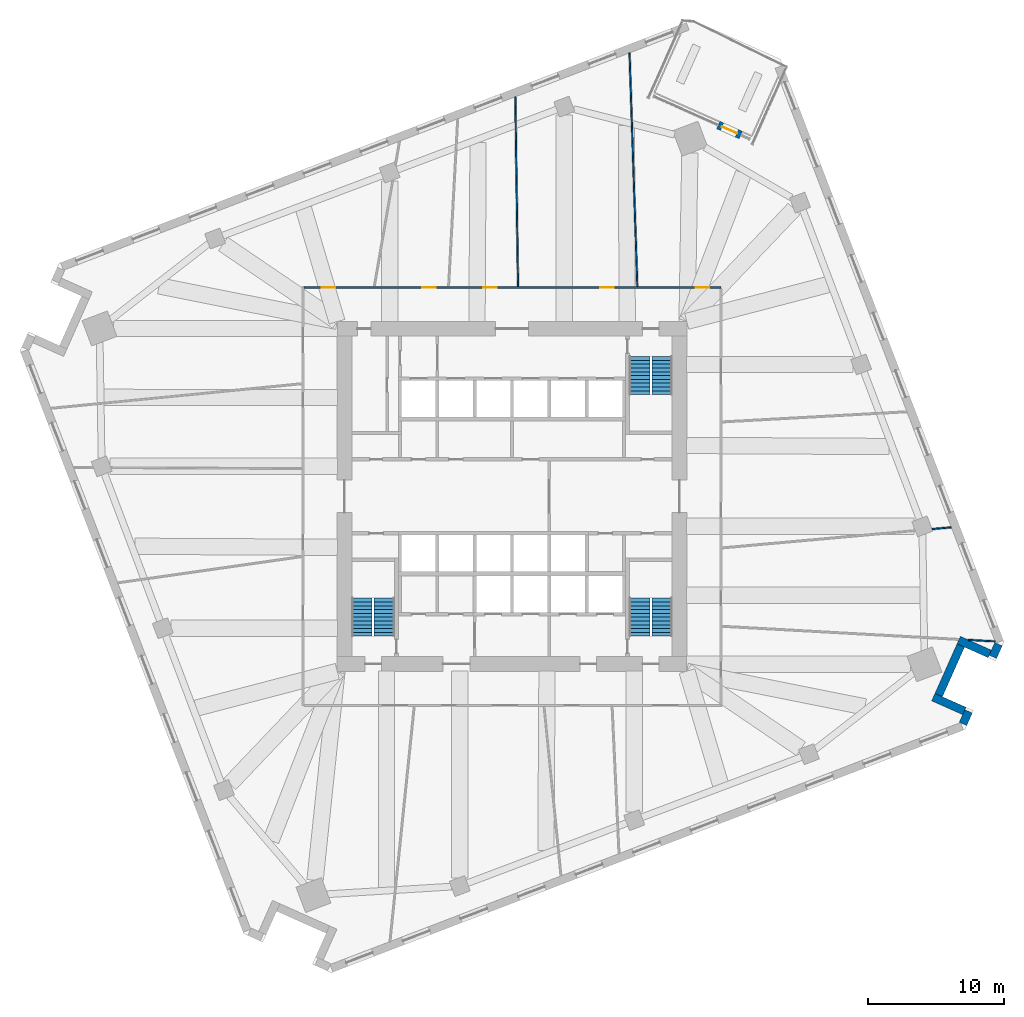
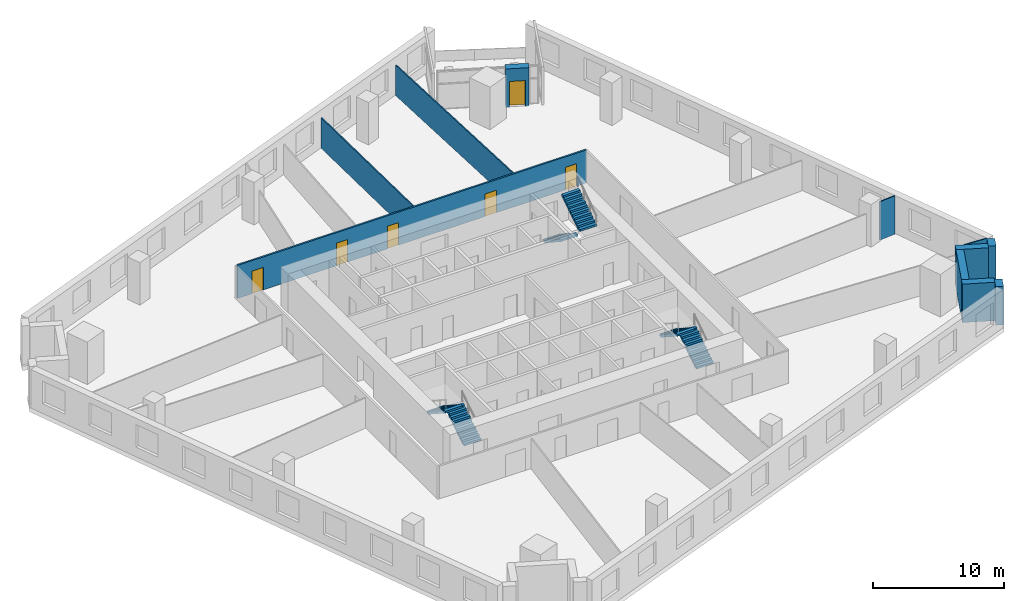
# One storey, part 12 of 14: 11 walls, 6 doors, 6 stair flights, 6 openings, 3 elements without a shape of their own.
"""IFC4 building model written with IfcOpenShell, lengths in metres."""

from ifc_helpers import new_model, si_unit, direction, frame, frame_2d, origin, place, context, subcontext, project, spatial, polyline, rectangle, outline, extrude, material, layer, layer_set, type_object, element, fill, aggregate, save


model = new_model("IFC4")

# Units and contexts
model_context = context("Model", 3, precision=1e-05, world=origin(), true_north=direction((0.0, 1.0)))
body_context = subcontext(model_context, "Body", "Model", "MODEL_VIEW")
ifc_project = project(units=[si_unit("LENGTHUNIT", "METRE"), si_unit("AREAUNIT", "SQUARE_METRE"), si_unit("VOLUMEUNIT", "CUBIC_METRE"), si_unit("PLANEANGLEUNIT", "RADIAN"), si_unit("MASSUNIT", "GRAM", prefix="KILO")], contexts=[model_context])

# Site, building, storey
site_placement = place(None, origin())
site = spatial("IfcSite", under=ifc_project, at=site_placement, CompositionType="ELEMENT")
building_placement = place(site_placement, origin())
building = spatial("IfcBuilding", under=site, at=building_placement, Name="Dilmun Exchange Tower", CompositionType="ELEMENT")
storey_placement = place(building_placement, frame((0.0, 0.0, 110.10009765625)))
storey = spatial("IfcBuildingStorey", under=building, at=storey_placement, Name="L25", CompositionType="ELEMENT", Elevation=110.10009765625)

# Wall, openings, doors
ifc_material_1 = material(Name="Corridor wall 150")
ifc_layer_1 = layer(ifc_material_1, 0.14990234375)
ifc_layer_set_1 = layer_set([ifc_layer_1], Name="Corridor wall 150")
wall_type_1 = type_object("IfcWallType", Name="Corridor wall 150", PredefinedType="PARTITIONING", material=ifc_layer_set_1)
wall_1_placement = place(storey_placement, frame((-15.324951171875, 15.39990234375, 0.0), z_axis=(0.0, 0.0, 1.0), x_axis=(1.0, 0.0, 0.0)))
wall_1 = element("IfcWall", 1, at=wall_1_placement, inside=storey, type_object=wall_type_1, Name="Corridor wall", PredefinedType="PARTITIONING", context=body_context, shape_type="SweptSolid", body=[
    extrude(rectangle(XDim=30.724853515625, YDim=0.14990234375, at=frame_2d((15.3623046875, 0.0))), origin(), (0.0, 0.0, 1.0), 3.079833984375),
])
opening_1_placement = place(wall_1_placement, frame((1.300048828125, 0.0, 0.0)))
opening_1 = element("IfcOpeningElement", 2, at=opening_1_placement, cuts=wall_1, Name="Opening TF23-D04", PredefinedType="OPENING", context=body_context, shape_type="SweptSolid", body=[
    extrude(rectangle(XDim=1.0, YDim=2.10009765625, at=frame_2d((0.5, 1.050048828125))), frame((0.0, 0.0849609375, 0.0), z_axis=(0.0, -1.0, 0.0), x_axis=(1.0, 0.0, 0.0)), (0.0, 0.0, 1.0), 0.169921875),
])
opening_2_placement = place(wall_1_placement, frame((8.717041015625, 0.0, 0.0)))
opening_2 = element("IfcOpeningElement", 3, at=opening_2_placement, cuts=wall_1, Name="Opening TF23-D07", PredefinedType="OPENING", context=body_context, shape_type="SweptSolid", body=[
    extrude(rectangle(XDim=1.0, YDim=2.10009765625, at=frame_2d((0.5, 1.050048828125))), frame((0.0, 0.0849609375, 0.0), z_axis=(0.0, -1.0, 0.0), x_axis=(1.0, 0.0, 0.0)), (0.0, 0.0, 1.0), 0.169921875),
])
opening_3_placement = place(wall_1_placement, frame((13.198486328125, 0.0, 0.0)))
opening_3 = element("IfcOpeningElement", 4, at=opening_3_placement, cuts=wall_1, Name="Opening TF23-D10", PredefinedType="OPENING", context=body_context, shape_type="SweptSolid", body=[
    extrude(rectangle(XDim=1.0, YDim=2.10009765625, at=frame_2d((0.5, 1.050048828125))), frame((0.0, 0.0849609375, 0.0), z_axis=(0.0, -1.0, 0.0), x_axis=(1.0, 0.0, 0.0)), (0.0, 0.0, 1.0), 0.169921875),
])
opening_4_placement = place(wall_1_placement, frame((21.818115234375, 0.0, 0.0)))
opening_4 = element("IfcOpeningElement", 5, at=opening_4_placement, cuts=wall_1, Name="Opening TF23-D11", PredefinedType="OPENING", context=body_context, shape_type="SweptSolid", body=[
    extrude(rectangle(XDim=1.0, YDim=2.10009765625, at=frame_2d((0.5, 1.050048828125))), frame((0.0, 0.0849609375, 0.0), z_axis=(0.0, -1.0, 0.0), x_axis=(1.0, 0.0, 0.0)), (0.0, 0.0, 1.0), 0.169921875),
])
opening_5_placement = place(wall_1_placement, frame((28.86083984375, 0.0, 0.0)))
opening_5 = element("IfcOpeningElement", 6, at=opening_5_placement, cuts=wall_1, Name="Opening TF23-D14", PredefinedType="OPENING", context=body_context, shape_type="SweptSolid", body=[
    extrude(rectangle(XDim=1.0, YDim=2.10009765625, at=frame_2d((0.5, 1.050048828125))), frame((0.0, 0.0849609375, 0.0), z_axis=(0.0, -1.0, 0.0), x_axis=(1.0, 0.0, 0.0)), (0.0, 0.0, 1.0), 0.169921875),
])
ifc_material_2 = material(Name="Fire door 1000 x 2100")
door_type_1 = type_object("IfcDoorType", Name="Fire door 1000 x 2100", OperationType="NOTDEFINED", PredefinedType="DOOR", material=ifc_material_2)
door_1_placement = place(opening_1_placement, origin())
door_1 = element("IfcDoor", 7, at=door_1_placement, inside=storey, type_object=door_type_1, Name="Door TF23-D04", OperationType="SINGLE_SWING_RIGHT", OverallHeight=2.10009765625, OverallWidth=1.0, PredefinedType="DOOR", context=body_context, shape_type="SweptSolid", body=[
    extrude(rectangle(XDim=1.0, YDim=2.10009765625, at=frame_2d((0.5, 1.050048828125))), frame((0.0, 0.02490234375, 0.0), z_axis=(0.0, -1.0, 0.0), x_axis=(1.0, 0.0, 0.0)), (0.0, 0.0, 1.0), 0.050048828125),
])
fill(opening_1, door_1)
door_2_placement = place(opening_2_placement, origin())
door_2 = element("IfcDoor", 8, at=door_2_placement, inside=storey, type_object=door_type_1, Name="Door TF23-D07", OperationType="SINGLE_SWING_LEFT", OverallHeight=2.10009765625, OverallWidth=1.0, PredefinedType="DOOR", context=body_context, shape_type="SweptSolid", body=[
    extrude(rectangle(XDim=1.0, YDim=2.10009765625, at=frame_2d((0.5, 1.050048828125))), frame((0.0, 0.02490234375, 0.0), z_axis=(0.0, -1.0, 0.0), x_axis=(1.0, 0.0, 0.0)), (0.0, 0.0, 1.0), 0.050048828125),
])
fill(opening_2, door_2)
door_3_placement = place(opening_3_placement, origin())
door_3 = element("IfcDoor", 9, at=door_3_placement, inside=storey, type_object=door_type_1, Name="Door TF23-D10", OperationType="SINGLE_SWING_LEFT", OverallHeight=2.10009765625, OverallWidth=1.0, PredefinedType="DOOR", context=body_context, shape_type="SweptSolid", body=[
    extrude(rectangle(XDim=1.0, YDim=2.10009765625, at=frame_2d((0.5, 1.050048828125))), frame((0.0, 0.02490234375, 0.0), z_axis=(0.0, -1.0, 0.0), x_axis=(1.0, 0.0, 0.0)), (0.0, 0.0, 1.0), 0.050048828125),
])
fill(opening_3, door_3)
door_4_placement = place(opening_4_placement, origin())
door_4 = element("IfcDoor", 10, at=door_4_placement, inside=storey, type_object=door_type_1, Name="Door TF23-D11", OperationType="SINGLE_SWING_LEFT", OverallHeight=2.10009765625, OverallWidth=1.0, PredefinedType="DOOR", context=body_context, shape_type="SweptSolid", body=[
    extrude(rectangle(XDim=1.0, YDim=2.10009765625, at=frame_2d((0.5, 1.050048828125))), frame((0.0, 0.02490234375, 0.0), z_axis=(0.0, -1.0, 0.0), x_axis=(1.0, 0.0, 0.0)), (0.0, 0.0, 1.0), 0.050048828125),
])
fill(opening_4, door_4)
door_5_placement = place(opening_5_placement, origin())
door_5 = element("IfcDoor", 11, at=door_5_placement, inside=storey, type_object=door_type_1, Name="Door TF23-D14", OperationType="SINGLE_SWING_LEFT", OverallHeight=2.10009765625, OverallWidth=1.0, PredefinedType="DOOR", context=body_context, shape_type="SweptSolid", body=[
    extrude(rectangle(XDim=1.0, YDim=2.10009765625, at=frame_2d((0.5, 1.050048828125))), frame((0.0, 0.02490234375, 0.0), z_axis=(0.0, -1.0, 0.0), x_axis=(1.0, 0.0, 0.0)), (0.0, 0.0, 1.0), 0.050048828125),
])
fill(opening_5, door_5)

# Walls
ifc_material_3 = material(Name="Partition 100")
ifc_layer_2 = layer(ifc_material_3, 0.10009765625)
ifc_layer_set_2 = layer_set([ifc_layer_2], Name="Partition 100")
wall_type_2 = type_object("IfcWallType", Name="Partition 100", PredefinedType="PARTITIONING", material=ifc_layer_set_2)
wall_2_placement = place(storey_placement, frame((0.244140625, 29.44091796875, 0.0), z_axis=(0.0, 0.0, 1.0), x_axis=(0.014228831068, -0.999898765059, 0.0)))
element("IfcWall", 12, at=wall_2_placement, inside=storey, type_object=wall_type_2, Name="Partition", PredefinedType="PARTITIONING", context=body_context, shape_type="SweptSolid", body=[
    extrude(rectangle(XDim=13.966796875, YDim=0.10009765625, at=frame_2d((6.9833984375, 0.0))), origin(), (0.0, 0.0, 1.0), 2.829833984375),
])
wall_3_placement = place(storey_placement, frame((8.658203125, 32.6708984375, 0.0), z_axis=(0.0, 0.0, 1.0), x_axis=(0.033491076988, -0.99943901653, 0.0)))
element("IfcWall", 13, at=wall_3_placement, inside=storey, type_object=wall_type_2, Name="Partition", PredefinedType="PARTITIONING", context=body_context, shape_type="SweptSolid", body=[
    extrude(rectangle(XDim=17.203857421875, YDim=0.10009765625, at=frame_2d((8.60205078125, 0.0))), origin(), (0.0, 0.0, 1.0), 2.829833984375),
])
wall_4_placement = place(storey_placement, frame((30.947265625, -2.408203125, 0.0), z_axis=(0.0, 0.0, 1.0), x_axis=(0.995999359609, 0.089360369615, 0.0)))
element("IfcWall", 14, at=wall_4_placement, inside=storey, type_object=wall_type_2, Name="Partition", PredefinedType="PARTITIONING", context=body_context, shape_type="SweptSolid", body=[
    extrude(rectangle(XDim=1.42333984375, YDim=0.10009765625, at=frame_2d((0.711669921875, 0.0))), origin(), (0.0, 0.0, 1.0), 3.579833984375),
])
wall_5_placement = place(storey_placement, frame((33.628173828125, -10.575927734375, 0.0), z_axis=(0.0, 0.0, 1.0), x_axis=(0.998471795395, -0.055263675243, 0.0)))
element("IfcWall", 15, at=wall_5_placement, inside=storey, type_object=wall_type_2, Name="Partition", PredefinedType="PARTITIONING", context=body_context, shape_type="SweptSolid", body=[
    extrude(rectangle(XDim=1.9658203125, YDim=0.10009765625, at=frame_2d((0.98291015625, 0.0))), origin(), (0.0, 0.0, 1.0), 3.579833984375),
])
ifc_material_4 = material(Name="Precast concrete C50/60", Category="concrete")
ifc_layer_3 = layer(ifc_material_4, 0.60009765625)
ifc_layer_set_3 = layer_set([ifc_layer_3], Name="Precast concrete C50/60")
wall_type_3 = type_object("IfcWallType", Name="Precast stone-clad wall 600", PredefinedType="STANDARD", material=ifc_layer_set_3)
wall_6_placement = place(storey_placement, frame((33.231689453125, -16.7626953125, 0.0), z_axis=(0.0, 0.0, 1.0), x_axis=(0.406877680738, 0.913482650583, 0.0)))
element("IfcWall", 16, at=wall_6_placement, inside=storey, type_object=wall_type_3, Name="Facade wall L25-16", PredefinedType="STANDARD", context=body_context, shape_type="SweptSolid", body=[
    extrude(rectangle(XDim=1.010986328125, YDim=0.60009765625, at=frame_2d((0.50537109375, 0.0))), origin(), (0.0, 0.0, 1.0), 3.579833984375),
])
wall_7_placement = place(storey_placement, frame((33.328125, -15.808349609375, 0.0), z_axis=(0.0, 0.0, 1.0), x_axis=(-0.913533450149, 0.406763611276, 0.0)))
element("IfcWall", 17, at=wall_7_placement, inside=storey, type_object=wall_type_3, Name="Facade wall L25-17", PredefinedType="STANDARD", context=body_context, shape_type="SweptSolid", body=[
    extrude(rectangle(XDim=2.499755859375, YDim=0.60009765625, at=frame_2d((1.25, 0.0))), origin(), (0.0, 0.0, 1.0), 3.579833984375),
])
wall_8_placement = place(storey_placement, frame((31.4404296875, -14.639404296875, 0.0), z_axis=(0.0, 0.0, 1.0), x_axis=(0.406727323635, 0.913549606868, 0.0)))
element("IfcWall", 18, at=wall_8_placement, inside=storey, type_object=wall_type_3, Name="Facade wall L25-18", PredefinedType="STANDARD", context=body_context, shape_type="SweptSolid", body=[
    extrude(rectangle(XDim=4.0, YDim=0.60009765625, at=frame_2d((2.0, 0.0))), origin(), (0.0, 0.0, 1.0), 3.579833984375),
])
wall_9_placement = place(storey_placement, frame((32.915283203125, -10.589111328125, 0.0), z_axis=(0.0, 0.0, 1.0), x_axis=(0.913549606868, -0.406727323635, 0.0)))
element("IfcWall", 19, at=wall_9_placement, inside=storey, type_object=wall_type_3, Name="Facade wall L25-19", PredefinedType="STANDARD", context=body_context, shape_type="SweptSolid", body=[
    extrude(rectangle(XDim=2.5, YDim=0.60009765625, at=frame_2d((1.25, 0.0))), origin(), (0.0, 0.0, 1.0), 3.579833984375),
])
wall_10_placement = place(storey_placement, frame((35.4326171875, -11.8193359375, 0.0), z_axis=(0.0, 0.0, 1.0), x_axis=(0.406787949875, 0.913522612657, 0.0)))
element("IfcWall", 20, at=wall_10_placement, inside=storey, type_object=wall_type_3, Name="Facade wall L25-20", PredefinedType="STANDARD", context=body_context, shape_type="SweptSolid", body=[
    extrude(rectangle(XDim=1.01123046875, YDim=0.60009765625, at=frame_2d((0.505615234375, 0.0))), origin(), (0.0, 0.0, 1.0), 3.579833984375),
])

# Wall, opening, door
wall_11_placement = place(storey_placement, frame((16.850341796875, 26.625, 0.0), z_axis=(0.0, 0.0, 1.0), x_axis=(-0.913598891005, 0.406616608556, 0.0)))
wall_11 = element("IfcWall", 21, at=wall_11_placement, inside=storey, type_object=wall_type_3, Name="Facade wall L25-01-D", PredefinedType="STANDARD", context=body_context, shape_type="SweptSolid", body=[
    extrude(rectangle(XDim=1.800048828125, YDim=0.60009765625, at=frame_2d((0.89990234375, 0.0))), origin(), (0.0, 0.0, 1.0), 3.579833984375),
])
opening_6_placement = place(wall_11_placement, frame((0.300048828125, 0.0, 0.0)))
opening_6 = element("IfcOpeningElement", 22, at=opening_6_placement, cuts=wall_11, Name="Opening GD-1", PredefinedType="OPENING", context=body_context, shape_type="SweptSolid", body=[
    extrude(rectangle(XDim=1.199951171875, YDim=2.39990234375, at=frame_2d((0.60009765625, 1.199951171875))), frame((0.0, 0.31005859375, 0.0), z_axis=(0.0, -1.0, 0.0), x_axis=(1.0, 0.0, 0.0)), (0.0, 0.0, 1.0), 0.6201171875),
])
ifc_material_5 = material(Name="Clear low-emissivity glass in aluminium frame", Category="aluminium")
door_type_2 = type_object("IfcDoorType", Name="Glazed garden door 1200 x 2400", OperationType="SINGLE_SWING_LEFT", PredefinedType="DOOR", material=ifc_material_5)
door_6_placement = place(opening_6_placement, origin())
door_6 = element("IfcDoor", 23, at=door_6_placement, inside=storey, type_object=door_type_2, Name="Garden terrace door", OperationType="SINGLE_SWING_LEFT", OverallHeight=2.39990234375, OverallWidth=1.199951171875, PredefinedType="DOOR", context=body_context, shape_type="SweptSolid", body=[
    extrude(rectangle(XDim=1.199951171875, YDim=2.39990234375, at=frame_2d((0.60009765625, 1.199951171875))), frame((0.0, 0.02490234375, 0.0), z_axis=(0.0, -1.0, 0.0), x_axis=(1.0, 0.0, 0.0)), (0.0, 0.0, 1.0), 0.050048828125),
])
fill(opening_6, door_6)

# Stair, stair flights
ifc_material_6 = material(Name="Concrete C40/50", Category="concrete")
stair_type = type_object("IfcStairType", Name="Exit stair 1500 half-turn", PredefinedType="HALF_TURN_STAIR", material=ifc_material_6)
stair_1_placement = place(storey_placement, origin())
stair_1 = element("IfcStair", 24, at=stair_1_placement, inside=storey, type_object=stair_type, Name="L25 Protected exit stair ST1", PredefinedType="HALF_TURN_STAIR")
stair_flight_type = type_object("IfcStairFlightType", Name="Exit stair flight 1500", PredefinedType="STRAIGHT", material=ifc_material_6)
stair_flight_1_placement = place(storey_placement, frame((9.39990234375, 10.300048828125, 0.0), z_axis=(0.0, 0.0, 1.0), x_axis=(0.0, -1.0, 0.0)))
stair_flight_1 = element("IfcStairFlight", 25, at=stair_flight_1_placement, type_object=stair_flight_type, Name="ST1 flight 1", NumberOfRisers=11, NumberOfTreads=10, PredefinedType="STRAIGHT", RiserHeight=0.181818182, TreadLength=0.28, context=body_context, shape_type="SweptSolid", body=[
    extrude(outline(polyline([(0.0, 0.0), (0.0, 0.181884765625), (0.280029296875, 0.181884765625), (0.280029296875, 0.363525390625), (0.56005859375, 0.363525390625), (0.56005859375, 0.54541015625), (0.840087890625, 0.54541015625), (0.840087890625, 0.727294921875), (1.1201171875, 0.727294921875), (1.1201171875, 0.9091796875), (1.39990234375, 0.9091796875), (1.39990234375, 1.0908203125), (1.679931640625, 1.0908203125), (1.679931640625, 1.272705078125), (1.9599609375, 1.272705078125), (1.9599609375, 1.45458984375), (2.239990234375, 1.45458984375), (2.239990234375, 1.636474609375), (2.52001953125, 1.636474609375), (2.52001953125, 1.818115234375), (2.800048828125, 1.818115234375), (2.800048828125, 2.0), (2.800048828125, 1.639404296875), (0.275146484375, 0.0), (0.0, 0.0)])), frame((0.0, 0.75, 0.0), z_axis=(0.0, -1.0, 0.0), x_axis=(1.0, 0.0, 0.0)), (0.0, 0.0, 1.0), 1.5),
])
stair_flight_2_placement = place(storey_placement, frame((11.050048828125, 7.5, 2.0), z_axis=(0.0, 0.0, 1.0), x_axis=(0.0, 1.0, 0.0)))
stair_flight_2 = element("IfcStairFlight", 26, at=stair_flight_2_placement, type_object=stair_flight_type, Name="ST1 flight 2", NumberOfRisers=11, NumberOfTreads=10, PredefinedType="STRAIGHT", RiserHeight=0.181818182, TreadLength=0.28, context=body_context, shape_type="SweptSolid", body=[
    extrude(outline(polyline([(0.0, 0.0), (0.0, 0.181884765625), (0.280029296875, 0.181884765625), (0.280029296875, 0.363525390625), (0.56005859375, 0.363525390625), (0.56005859375, 0.54541015625), (0.840087890625, 0.54541015625), (0.840087890625, 0.727294921875), (1.1201171875, 0.727294921875), (1.1201171875, 0.9091796875), (1.39990234375, 0.9091796875), (1.39990234375, 1.0908203125), (1.679931640625, 1.0908203125), (1.679931640625, 1.272705078125), (1.9599609375, 1.272705078125), (1.9599609375, 1.45458984375), (2.239990234375, 1.45458984375), (2.239990234375, 1.636474609375), (2.52001953125, 1.636474609375), (2.52001953125, 1.818115234375), (2.800048828125, 1.818115234375), (2.800048828125, 2.0), (2.800048828125, 1.639404296875), (0.275146484375, 0.0), (0.0, 0.0)])), frame((0.0, 0.75, 0.0), z_axis=(0.0, -1.0, 0.0), x_axis=(1.0, 0.0, 0.0)), (0.0, 0.0, 1.0), 1.5),
])
aggregate(stair_1, [stair_flight_1, stair_flight_2])

stair_2_placement = place(storey_placement, origin())
stair_2 = element("IfcStair", 27, at=stair_2_placement, inside=storey, type_object=stair_type, Name="L25 Protected exit stair ST2", PredefinedType="HALF_TURN_STAIR")
stair_flight_3_placement = place(storey_placement, frame((-9.39990234375, -10.300048828125, 0.0), z_axis=(0.0, 0.0, 1.0), x_axis=(0.0, 1.0, 0.0)))
stair_flight_3 = element("IfcStairFlight", 28, at=stair_flight_3_placement, type_object=stair_flight_type, Name="ST2 flight 1", NumberOfRisers=11, NumberOfTreads=10, PredefinedType="STRAIGHT", RiserHeight=0.181818182, TreadLength=0.28, context=body_context, shape_type="SweptSolid", body=[
    extrude(outline(polyline([(0.0, 0.0), (0.0, 0.181884765625), (0.280029296875, 0.181884765625), (0.280029296875, 0.363525390625), (0.56005859375, 0.363525390625), (0.56005859375, 0.54541015625), (0.840087890625, 0.54541015625), (0.840087890625, 0.727294921875), (1.1201171875, 0.727294921875), (1.1201171875, 0.9091796875), (1.39990234375, 0.9091796875), (1.39990234375, 1.0908203125), (1.679931640625, 1.0908203125), (1.679931640625, 1.272705078125), (1.9599609375, 1.272705078125), (1.9599609375, 1.45458984375), (2.239990234375, 1.45458984375), (2.239990234375, 1.636474609375), (2.52001953125, 1.636474609375), (2.52001953125, 1.818115234375), (2.800048828125, 1.818115234375), (2.800048828125, 2.0), (2.800048828125, 1.639404296875), (0.275146484375, 0.0), (0.0, 0.0)])), frame((0.0, 0.75, 0.0), z_axis=(0.0, -1.0, 0.0), x_axis=(1.0, 0.0, 0.0)), (0.0, 0.0, 1.0), 1.5),
])
stair_flight_4_placement = place(storey_placement, frame((-11.050048828125, -7.5, 2.0), z_axis=(0.0, 0.0, 1.0), x_axis=(0.0, -1.0, 0.0)))
stair_flight_4 = element("IfcStairFlight", 29, at=stair_flight_4_placement, type_object=stair_flight_type, Name="ST2 flight 2", NumberOfRisers=11, NumberOfTreads=10, PredefinedType="STRAIGHT", RiserHeight=0.181818182, TreadLength=0.28, context=body_context, shape_type="SweptSolid", body=[
    extrude(outline(polyline([(0.0, 0.0), (0.0, 0.181884765625), (0.280029296875, 0.181884765625), (0.280029296875, 0.363525390625), (0.56005859375, 0.363525390625), (0.56005859375, 0.54541015625), (0.840087890625, 0.54541015625), (0.840087890625, 0.727294921875), (1.1201171875, 0.727294921875), (1.1201171875, 0.9091796875), (1.39990234375, 0.9091796875), (1.39990234375, 1.0908203125), (1.679931640625, 1.0908203125), (1.679931640625, 1.272705078125), (1.9599609375, 1.272705078125), (1.9599609375, 1.45458984375), (2.239990234375, 1.45458984375), (2.239990234375, 1.636474609375), (2.52001953125, 1.636474609375), (2.52001953125, 1.818115234375), (2.800048828125, 1.818115234375), (2.800048828125, 2.0), (2.800048828125, 1.639404296875), (0.275146484375, 0.0), (0.0, 0.0)])), frame((0.0, 0.75, 0.0), z_axis=(0.0, -1.0, 0.0), x_axis=(1.0, 0.0, 0.0)), (0.0, 0.0, 1.0), 1.5),
])
aggregate(stair_2, [stair_flight_3, stair_flight_4])

stair_3_placement = place(storey_placement, origin())
stair_3 = element("IfcStair", 30, at=stair_3_placement, inside=storey, type_object=stair_type, Name="L25 Protected exit stair ST3", PredefinedType="HALF_TURN_STAIR")
stair_flight_5_placement = place(storey_placement, frame((11.050048828125, -10.300048828125, 0.0), z_axis=(0.0, 0.0, 1.0), x_axis=(0.0, 1.0, 0.0)))
stair_flight_5 = element("IfcStairFlight", 31, at=stair_flight_5_placement, type_object=stair_flight_type, Name="ST3 flight 1", NumberOfRisers=11, NumberOfTreads=10, PredefinedType="STRAIGHT", RiserHeight=0.181818182, TreadLength=0.28, context=body_context, shape_type="SweptSolid", body=[
    extrude(outline(polyline([(0.0, 0.0), (0.0, 0.181884765625), (0.280029296875, 0.181884765625), (0.280029296875, 0.363525390625), (0.56005859375, 0.363525390625), (0.56005859375, 0.54541015625), (0.840087890625, 0.54541015625), (0.840087890625, 0.727294921875), (1.1201171875, 0.727294921875), (1.1201171875, 0.9091796875), (1.39990234375, 0.9091796875), (1.39990234375, 1.0908203125), (1.679931640625, 1.0908203125), (1.679931640625, 1.272705078125), (1.9599609375, 1.272705078125), (1.9599609375, 1.45458984375), (2.239990234375, 1.45458984375), (2.239990234375, 1.636474609375), (2.52001953125, 1.636474609375), (2.52001953125, 1.818115234375), (2.800048828125, 1.818115234375), (2.800048828125, 2.0), (2.800048828125, 1.639404296875), (0.275146484375, 0.0), (0.0, 0.0)])), frame((0.0, 0.75, 0.0), z_axis=(0.0, -1.0, 0.0), x_axis=(1.0, 0.0, 0.0)), (0.0, 0.0, 1.0), 1.5),
])
stair_flight_6_placement = place(storey_placement, frame((9.39990234375, -7.5, 2.0), z_axis=(0.0, 0.0, 1.0), x_axis=(0.0, -1.0, 0.0)))
stair_flight_6 = element("IfcStairFlight", 32, at=stair_flight_6_placement, type_object=stair_flight_type, Name="ST3 flight 2", NumberOfRisers=11, NumberOfTreads=10, PredefinedType="STRAIGHT", RiserHeight=0.181818182, TreadLength=0.28, context=body_context, shape_type="SweptSolid", body=[
    extrude(outline(polyline([(0.0, 0.0), (0.0, 0.181884765625), (0.280029296875, 0.181884765625), (0.280029296875, 0.363525390625), (0.56005859375, 0.363525390625), (0.56005859375, 0.54541015625), (0.840087890625, 0.54541015625), (0.840087890625, 0.727294921875), (1.1201171875, 0.727294921875), (1.1201171875, 0.9091796875), (1.39990234375, 0.9091796875), (1.39990234375, 1.0908203125), (1.679931640625, 1.0908203125), (1.679931640625, 1.272705078125), (1.9599609375, 1.272705078125), (1.9599609375, 1.45458984375), (2.239990234375, 1.45458984375), (2.239990234375, 1.636474609375), (2.52001953125, 1.636474609375), (2.52001953125, 1.818115234375), (2.800048828125, 1.818115234375), (2.800048828125, 2.0), (2.800048828125, 1.639404296875), (0.275146484375, 0.0), (0.0, 0.0)])), frame((0.0, 0.75, 0.0), z_axis=(0.0, -1.0, 0.0), x_axis=(1.0, 0.0, 0.0)), (0.0, 0.0, 1.0), 1.5),
])
aggregate(stair_3, [stair_flight_5, stair_flight_6])

save(model, "model.ifc")
